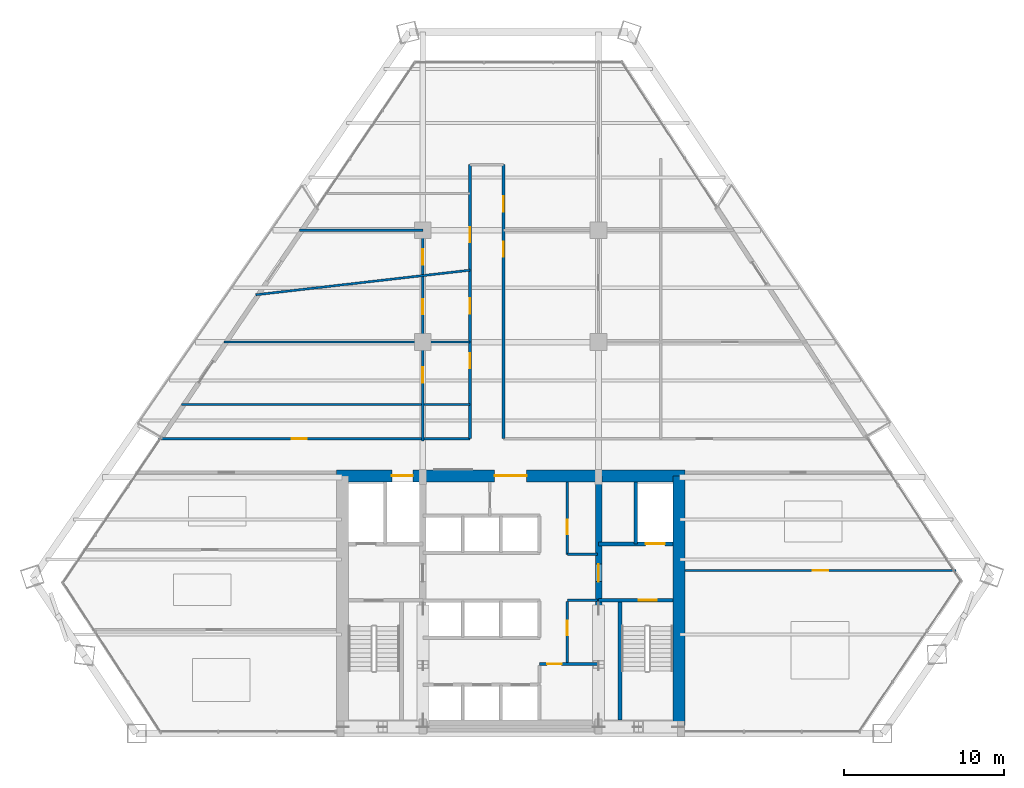
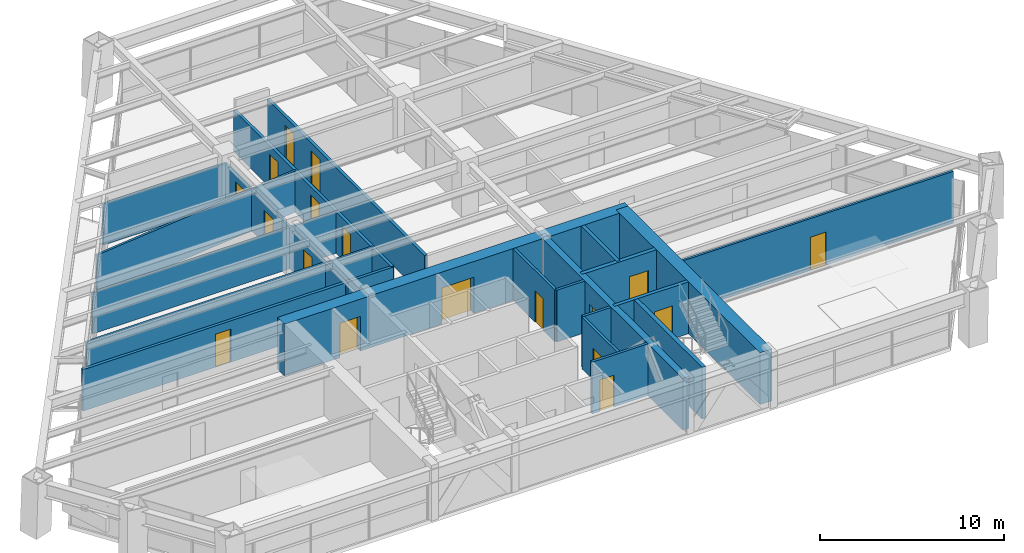
# One storey, part 11 of 14: 21 walls, 18 doors, 18 openings.
"""IFC4 building model written with IfcOpenShell, lengths in metres."""

from ifc_helpers import new_model, si_unit, direction, frame, frame_2d, origin, place, context, subcontext, project, spatial, rectangle, extrude, source, transform, mapped, material, layer, layer_set, type_object, type_shapes, element, fill, save


model = new_model("IFC4")

# Units and contexts
model_context = context("Model", 3, precision=1e-05, world=origin(), true_north=direction((0.0, 1.0)))
body_context = subcontext(model_context, "Body", "Model", "MODEL_VIEW")
ifc_project = project(units=[si_unit("LENGTHUNIT", "METRE"), si_unit("AREAUNIT", "SQUARE_METRE"), si_unit("VOLUMEUNIT", "CUBIC_METRE"), si_unit("PLANEANGLEUNIT", "RADIAN"), si_unit("MASSUNIT", "GRAM", prefix="KILO")], contexts=[model_context])

# Site, building, storey
site_placement = place(None, origin())
site = spatial("IfcSite", under=ifc_project, at=site_placement, CompositionType="ELEMENT")
building_placement = place(site_placement, origin())
building = spatial("IfcBuilding", under=site, at=building_placement, Name="Varnakhor Terracotta Tower", CompositionType="ELEMENT")
storey_placement = place(building_placement, frame((0.0, 0.0, 80.300048828125)))
storey = spatial("IfcBuildingStorey", under=building, at=storey_placement, Name="L19", CompositionType="ELEMENT", Elevation=80.300048828125)

# Wall, openings, doors
ifc_material_1 = material(Name="Concrete C60/75", Category="concrete")
ifc_layer_1 = layer(ifc_material_1, 0.75, Name="Concrete C60/75")
ifc_layer_set_1 = layer_set([ifc_layer_1], Name="Concrete C60/75")
wall_type_1 = type_object("IfcWallType", Name="WAL-CORE-750", PredefinedType="SHEAR", material=ifc_layer_set_1)
wall_1_placement = place(storey_placement, frame((-10.89990234375, 16.125, 0.0), z_axis=(0.0, 0.0, 1.0), x_axis=(1.0, 0.0, 0.0)))
wall_1 = element("IfcWall", 1, at=wall_1_placement, inside=storey, type_object=wall_type_1, Name="L19 North Core Shear Wall", PredefinedType="SHEAR", context=body_context, shape_type="SweptSolid", body=[
    extrude(rectangle(XDim=21.7998046875, YDim=0.75, at=frame_2d((10.89990234375, 0.0))), origin(), (0.0, 0.0, 1.0), 3.449951171875),
])
opening_1_placement = place(wall_1_placement, frame((3.469970703125, 0.0, 0.0)))
opening_1 = element("IfcOpeningElement", 2, at=opening_1_placement, cuts=wall_1, Name="Opening LD-03", PredefinedType="OPENING", context=body_context, shape_type="SweptSolid", body=[
    extrude(rectangle(XDim=1.300048828125, YDim=2.300048828125, at=frame_2d((0.64990234375, 1.14990234375))), frame((0.0, 0.385009765625, 0.0), z_axis=(0.0, -1.0, 0.0), x_axis=(1.0, 0.0, 0.0)), (0.0, 0.0, 1.0), 0.77001953125),
])
opening_2_placement = place(wall_1_placement, frame((9.89990234375, 0.0, 0.0)))
opening_2 = element("IfcOpeningElement", 3, at=opening_2_placement, cuts=wall_1, Name="Opening DR-32", PredefinedType="OPENING", context=body_context, shape_type="SweptSolid", body=[
    extrude(rectangle(XDim=2.0, YDim=2.39990234375, at=frame_2d((1.0, 1.199951171875))), frame((0.0, 0.385009765625, 0.0), z_axis=(0.0, -1.0, 0.0), x_axis=(1.0, 0.0, 0.0)), (0.0, 0.0, 1.0), 0.77001953125),
])
ifc_material_2 = material(Name="Heavy-Duty Goods Sliding Lift Landing Door", Category="steel")
door_type_1 = type_object("IfcDoorType", Name="LD-SRV-1300X2300", OperationType="NOTDEFINED", PredefinedType="DOOR", material=ifc_material_2)
shared_shape_1 = source(origin(), body_context, "Body", "SweptSolid", [
    extrude(rectangle(XDim=1.300048828125, YDim=2.300048828125, at=frame_2d((0.64990234375, 1.14990234375))), frame((0.0, 0.02490234375, 0.0), z_axis=(0.0, -1.0, 0.0), x_axis=(1.0, 0.0, 0.0)), (0.0, 0.0, 1.0), 0.050048828125),
])
type_shapes(door_type_1, [shared_shape_1])
door_1_placement = place(opening_1_placement, origin())
door_1 = element("IfcDoor", 4, at=door_1_placement, inside=storey, type_object=door_type_1, Name="L19 Service Lift SVL-1 Landing Door", OperationType="SLIDING_TO_RIGHT", OverallHeight=2.300048828125, OverallWidth=1.300048828125, PredefinedType="DOOR", context=body_context, shape_type="MappedRepresentation", body=[
    mapped(shared_shape_1, transform((0.0, 0.0, 0.0), scale=1.0)),
])
fill(opening_1, door_1)
ifc_material_3 = material(Name="Acoustic Double Assembly Fire Door", Category="wood")
door_type_2 = type_object("IfcDoorType", Name="DR-HALL-2000X2400", OperationType="NOTDEFINED", PredefinedType="DOOR", material=ifc_material_3)
shared_shape_2 = source(origin(), body_context, "Body", "SweptSolid", [
    extrude(rectangle(XDim=2.0, YDim=2.39990234375, at=frame_2d((1.0, 1.199951171875))), frame((0.0, 0.02490234375, 0.0), z_axis=(0.0, -1.0, 0.0), x_axis=(1.0, 0.0, 0.0)), (0.0, 0.0, 1.0), 0.050048828125),
])
type_shapes(door_type_2, [shared_shape_2])
door_2_placement = place(opening_2_placement, origin())
door_2 = element("IfcDoor", 5, at=door_2_placement, inside=storey, type_object=door_type_2, Name="L19 Core Main Lobby Double Door", OperationType="DOUBLE_DOOR_SINGLE_SWING", OverallHeight=2.39990234375, OverallWidth=2.0, PredefinedType="DOOR", context=body_context, shape_type="MappedRepresentation", body=[
    mapped(shared_shape_2, transform((0.0, 0.0, 0.0), scale=1.0)),
])
fill(opening_2, door_2)

# Wall
wall_2_placement = place(storey_placement, frame((10.52490234375, 0.47509765625, 0.0), z_axis=(0.0, 0.0, 1.0), x_axis=(0.0, 1.0, 0.0)))
element("IfcWall", 6, at=wall_2_placement, inside=storey, type_object=wall_type_1, Name="L19 East Core Shear Wall", PredefinedType="SHEAR", context=body_context, shape_type="SweptSolid", body=[
    extrude(rectangle(XDim=15.64990234375, YDim=0.75, at=frame_2d((7.824951171875, 0.0))), origin(), (0.0, 0.0, 1.0), 3.449951171875),
])

# Wall, opening, door
ifc_material_4 = material(Name="Concrete C50/60", Category="concrete")
ifc_layer_2 = layer(ifc_material_4, 0.39990234375, Name="Concrete C50/60")
ifc_layer_set_2 = layer_set([ifc_layer_2], Name="Concrete C50/60")
wall_type_2 = type_object("IfcWallType", Name="WAL-CORE-WEB-400", PredefinedType="SHEAR", material=ifc_layer_set_2)
wall_3_placement = place(storey_placement, frame((5.5, 0.47509765625, 0.0), z_axis=(0.0, 0.0, 1.0), x_axis=(0.0, 1.0, 0.0)))
wall_3 = element("IfcWall", 7, at=wall_3_placement, inside=storey, type_object=wall_type_2, Name="L19 East Core Web Shear Wall", PredefinedType="SHEAR", context=body_context, shape_type="SweptSolid", body=[
    extrude(rectangle(XDim=15.64990234375, YDim=0.39990234375, at=frame_2d((7.824951171875, 0.0))), origin(), (0.0, 0.0, 1.0), 3.449951171875),
])
opening_3_placement = place(wall_3_placement, frame((9.02490234375, 0.0, 0.0)))
opening_3 = element("IfcOpeningElement", 8, at=opening_3_placement, cuts=wall_3, Name="Opening DR-25", PredefinedType="OPENING", context=body_context, shape_type="SweptSolid", body=[
    extrude(rectangle(XDim=1.10009765625, YDim=2.199951171875, at=frame_2d((0.550048828125, 1.10009765625))), frame((0.0, 0.2099609375, 0.0), z_axis=(0.0, -1.0, 0.0), x_axis=(1.0, 0.0, 0.0)), (0.0, 0.0, 1.0), 0.419921875),
])
ifc_material_5 = material(Name="Firefighting Lobby Self-Closing Fire Door", Category="steel")
door_type_3 = type_object("IfcDoorType", Name="DR-FFL-1100X2200", OperationType="NOTDEFINED", PredefinedType="DOOR", material=ifc_material_5)
shared_shape_3 = source(origin(), body_context, "Body", "SweptSolid", [
    extrude(rectangle(XDim=1.10009765625, YDim=2.199951171875, at=frame_2d((0.550048828125, 1.10009765625))), frame((0.0, 0.02490234375, 0.0), z_axis=(0.0, -1.0, 0.0), x_axis=(1.0, 0.0, 0.0)), (0.0, 0.0, 1.0), 0.050048828125),
])
type_shapes(door_type_3, [shared_shape_3])
door_3_placement = place(opening_3_placement, origin())
door_3 = element("IfcDoor", 9, at=door_3_placement, inside=storey, type_object=door_type_3, Name="L19 East Firefighting Lobby Door", OperationType="SINGLE_SWING_LEFT", OverallHeight=2.199951171875, OverallWidth=1.10009765625, PredefinedType="DOOR", context=body_context, shape_type="MappedRepresentation", body=[
    mapped(shared_shape_3, transform((0.0, 0.0, 0.0), scale=1.0)),
])
fill(opening_3, door_3)

ifc_material_6 = material(Name="Fire-Rated Gypsum Stud Partition", Category="gypsum")
ifc_layer_3 = layer(ifc_material_6, 0.18505859375, Name="Fire-Rated Gypsum Stud Partition")
ifc_layer_set_3 = layer_set([ifc_layer_3], Name="Fire-Rated Gypsum Stud Partition")
wall_type_3 = type_object("IfcWallType", Name="WAL-CORR-185", PredefinedType="PARTITIONING", material=ifc_layer_set_3)
wall_4_placement = place(storey_placement, frame((-22.051025390625, 18.449951171875, 0.0), z_axis=(0.0, 0.0, 1.0), x_axis=(1.0, 0.0, 0.0)))
wall_4 = element("IfcWall", 10, at=wall_4_placement, inside=storey, type_object=wall_type_3, Name="L19 Corridor North West Wall", PredefinedType="PARTITIONING", context=body_context, shape_type="SweptSolid", body=[
    extrude(rectangle(XDim=19.5009765625, YDim=0.18505859375, at=frame_2d((9.75048828125, 0.0))), origin(), (0.0, 0.0, 1.0), 2.7470703125),
])
opening_4_placement = place(wall_4_placement, frame((8.33447265625, 0.0, 0.0)))
opening_4 = element("IfcOpeningElement", 11, at=opening_4_placement, cuts=wall_4, Name="Opening DR-94", PredefinedType="OPENING", context=body_context, shape_type="SweptSolid", body=[
    extrude(rectangle(XDim=0.949951171875, YDim=2.199951171875, at=frame_2d((0.47509765625, 1.10009765625))), frame((0.0, 0.1025390625, 0.0), z_axis=(0.0, -1.0, 0.0), x_axis=(1.0, 0.0, 0.0)), (0.0, 0.0, 1.0), 0.205078125),
])
ifc_material_7 = material(Name="Acoustic Glazed-Vision Timber Office Door", Category="wood")
door_type_4 = type_object("IfcDoorType", Name="DR-OFF-950X2200", OperationType="NOTDEFINED", PredefinedType="DOOR", material=ifc_material_7)
shared_shape_4 = source(origin(), body_context, "Body", "SweptSolid", [
    extrude(rectangle(XDim=0.949951171875, YDim=2.199951171875, at=frame_2d((0.47509765625, 1.10009765625))), frame((0.0, 0.02490234375, 0.0), z_axis=(0.0, -1.0, 0.0), x_axis=(1.0, 0.0, 0.0)), (0.0, 0.0, 1.0), 0.050048828125),
])
type_shapes(door_type_4, [shared_shape_4])
door_4_placement = place(opening_4_placement, origin())
door_4 = element("IfcDoor", 12, at=door_4_placement, inside=storey, type_object=door_type_4, Name="L19 West Workplace Door", OperationType="SINGLE_SWING_RIGHT", OverallHeight=2.199951171875, OverallWidth=0.949951171875, PredefinedType="DOOR", context=body_context, shape_type="MappedRepresentation", body=[
    mapped(shared_shape_4, transform((0.0, 0.0, 0.0), scale=1.0)),
])
fill(opening_4, door_4)

# Wall, openings, doors
wall_5_placement = place(storey_placement, frame((-2.550048828125, 18.449951171875, 0.0), z_axis=(0.0, 0.0, 1.0), x_axis=(0.0, 1.0, 0.0)))
wall_5 = element("IfcWall", 13, at=wall_5_placement, inside=storey, type_object=wall_type_3, Name="L19 Spine West Wall", PredefinedType="PARTITIONING", context=body_context, shape_type="SweptSolid", body=[
    extrude(rectangle(XDim=17.150146484375, YDim=0.18505859375, at=frame_2d((8.5751953125, 0.0))), origin(), (0.0, 0.0, 1.0), 2.7470703125),
])
opening_5_placement = place(wall_5_placement, frame((4.3974609375, 0.0, 0.0)))
opening_5 = element("IfcOpeningElement", 14, at=opening_5_placement, cuts=wall_5, Name="Opening DR-94", PredefinedType="OPENING", context=body_context, shape_type="SweptSolid", body=[
    extrude(rectangle(XDim=0.949951171875, YDim=2.199951171875, at=frame_2d((0.47509765625, 1.10009765625))), frame((0.0, 0.1025390625, 0.0), z_axis=(0.0, -1.0, 0.0), x_axis=(1.0, 0.0, 0.0)), (0.0, 0.0, 1.0), 0.205078125),
])
opening_6_placement = place(wall_5_placement, frame((7.830078125, 0.0, 0.0)))
opening_6 = element("IfcOpeningElement", 15, at=opening_6_placement, cuts=wall_5, Name="Opening DR-94", PredefinedType="OPENING", context=body_context, shape_type="SweptSolid", body=[
    extrude(rectangle(XDim=0.949951171875, YDim=2.199951171875, at=frame_2d((0.47509765625, 1.10009765625))), frame((0.0, 0.1025390625, 0.0), z_axis=(0.0, -1.0, 0.0), x_axis=(1.0, 0.0, 0.0)), (0.0, 0.0, 1.0), 0.205078125),
])
opening_7_placement = place(wall_5_placement, frame((12.29638671875, 0.0, 0.0)))
opening_7 = element("IfcOpeningElement", 16, at=opening_7_placement, cuts=wall_5, Name="Opening DR-94", PredefinedType="OPENING", context=body_context, shape_type="SweptSolid", body=[
    extrude(rectangle(XDim=0.949951171875, YDim=2.199951171875, at=frame_2d((0.47509765625, 1.10009765625))), frame((0.0, 0.1025390625, 0.0), z_axis=(0.0, -1.0, 0.0), x_axis=(1.0, 0.0, 0.0)), (0.0, 0.0, 1.0), 0.205078125),
])
door_5_placement = place(opening_5_placement, origin())
door_5 = element("IfcDoor", 17, at=door_5_placement, inside=storey, type_object=door_type_4, Name="L19 Spine West Door", OperationType="SINGLE_SWING_RIGHT", OverallHeight=2.199951171875, OverallWidth=0.949951171875, PredefinedType="DOOR", context=body_context, shape_type="MappedRepresentation", body=[
    mapped(shared_shape_4, transform((0.0, 0.0, 0.0), scale=1.0)),
])
fill(opening_5, door_5)
door_6_placement = place(opening_6_placement, origin())
door_6 = element("IfcDoor", 18, at=door_6_placement, inside=storey, type_object=door_type_4, Name="L19 Meeting Room North B13 Door", OperationType="SINGLE_SWING_LEFT", OverallHeight=2.199951171875, OverallWidth=0.949951171875, PredefinedType="DOOR", context=body_context, shape_type="MappedRepresentation", body=[
    mapped(shared_shape_4, transform((0.0, 0.0, 0.0), scale=1.0)),
])
fill(opening_6, door_6)
door_7_placement = place(opening_7_placement, origin())
door_7 = element("IfcDoor", 19, at=door_7_placement, inside=storey, type_object=door_type_4, Name="L19 Cellular Office 1 B17 Door", OperationType="SINGLE_SWING_RIGHT", OverallHeight=2.199951171875, OverallWidth=0.949951171875, PredefinedType="DOOR", context=body_context, shape_type="MappedRepresentation", body=[
    mapped(shared_shape_4, transform((0.0, 0.0, 0.0), scale=1.0)),
])
fill(opening_7, door_7)

wall_6_placement = place(storey_placement, frame((-0.449951171875, 18.449951171875, 0.0), z_axis=(0.0, 0.0, 1.0), x_axis=(0.0, 1.0, 0.0)))
wall_6 = element("IfcWall", 20, at=wall_6_placement, inside=storey, type_object=wall_type_3, Name="L19 Spine East Wall", PredefinedType="PARTITIONING", context=body_context, shape_type="SweptSolid", body=[
    extrude(rectangle(XDim=17.150146484375, YDim=0.18505859375, at=frame_2d((8.5751953125, 0.0))), origin(), (0.0, 0.0, 1.0), 2.7470703125),
])
opening_8_placement = place(wall_6_placement, frame((11.39404296875, 0.0, 0.0)))
opening_8 = element("IfcOpeningElement", 21, at=opening_8_placement, cuts=wall_6, Name="Opening DR-94", PredefinedType="OPENING", context=body_context, shape_type="SweptSolid", body=[
    extrude(rectangle(XDim=0.949951171875, YDim=2.199951171875, at=frame_2d((0.47509765625, 1.10009765625))), frame((0.0, 0.1025390625, 0.0), z_axis=(0.0, -1.0, 0.0), x_axis=(1.0, 0.0, 0.0)), (0.0, 0.0, 1.0), 0.205078125),
])
opening_9_placement = place(wall_6_placement, frame((14.21435546875, 0.0, 0.0)))
opening_9 = element("IfcOpeningElement", 22, at=opening_9_placement, cuts=wall_6, Name="Opening DR-94", PredefinedType="OPENING", context=body_context, shape_type="SweptSolid", body=[
    extrude(rectangle(XDim=0.949951171875, YDim=2.199951171875, at=frame_2d((0.47509765625, 1.10009765625))), frame((0.0, 0.1025390625, 0.0), z_axis=(0.0, -1.0, 0.0), x_axis=(1.0, 0.0, 0.0)), (0.0, 0.0, 1.0), 0.205078125),
])
door_8_placement = place(opening_8_placement, origin())
door_8 = element("IfcDoor", 23, at=door_8_placement, inside=storey, type_object=door_type_4, Name="L19 Spine East Door", OperationType="SINGLE_SWING_LEFT", OverallHeight=2.199951171875, OverallWidth=0.949951171875, PredefinedType="DOOR", context=body_context, shape_type="MappedRepresentation", body=[
    mapped(shared_shape_4, transform((0.0, 0.0, 0.0), scale=1.0)),
])
fill(opening_8, door_8)
door_9_placement = place(opening_9_placement, origin())
door_9 = element("IfcDoor", 24, at=door_9_placement, inside=storey, type_object=door_type_4, Name="L19 Cellular Office 2 Door", OperationType="SINGLE_SWING_LEFT", OverallHeight=2.199951171875, OverallWidth=0.949951171875, PredefinedType="DOOR", context=body_context, shape_type="MappedRepresentation", body=[
    mapped(shared_shape_4, transform((0.0, 0.0, 0.0), scale=1.0)),
])
fill(opening_9, door_9)

# Wall, opening, door
ifc_material_8 = material(Name="Concrete C40/50", Category="concrete")
ifc_layer_4 = layer(ifc_material_8, 0.219970703125, Name="Concrete C40/50")
ifc_layer_set_4 = layer_set([ifc_layer_4], Name="Concrete C40/50")
wall_type_4 = type_object("IfcWallType", Name="WAL-FFLOBBY-220", PredefinedType="SOLIDWALL", material=ifc_layer_set_4)
wall_7_placement = place(storey_placement, frame((10.14990234375, 8.35009765625, 0.0), z_axis=(0.0, 0.0, 1.0), x_axis=(-1.0, 0.0, 0.0)))
wall_7 = element("IfcWall", 25, at=wall_7_placement, inside=storey, type_object=wall_type_4, Name="L19 East Firefighting Lobby Stair Wall", PredefinedType="SOLIDWALL", context=body_context, shape_type="SweptSolid", body=[
    extrude(rectangle(XDim=4.64990234375, YDim=0.219970703125, at=frame_2d((2.324951171875, 0.0))), origin(), (0.0, 0.0, 1.0), 3.449951171875),
])
opening_10_placement = place(wall_7_placement, frame((1.0, 0.0, 0.0)))
opening_10 = element("IfcOpeningElement", 26, at=opening_10_placement, cuts=wall_7, Name="Opening DR-34", PredefinedType="OPENING", context=body_context, shape_type="SweptSolid", body=[
    extrude(rectangle(XDim=1.14990234375, YDim=2.199951171875, at=frame_2d((0.574951171875, 1.10009765625))), frame((0.0, 0.1201171875, 0.0), z_axis=(0.0, -1.0, 0.0), x_axis=(1.0, 0.0, 0.0)), (0.0, 0.0, 1.0), 0.239990234375),
])
ifc_material_9 = material(Name="Self-Closing Smoke-Sealed Steel Fire Door", Category="steel")
door_type_5 = type_object("IfcDoorType", Name="DR-STAIR-1150X2200", OperationType="NOTDEFINED", PredefinedType="DOOR", material=ifc_material_9)
shared_shape_5 = source(origin(), body_context, "Body", "SweptSolid", [
    extrude(rectangle(XDim=1.14990234375, YDim=2.199951171875, at=frame_2d((0.574951171875, 1.10009765625))), frame((0.0, 0.02490234375, 0.0), z_axis=(0.0, -1.0, 0.0), x_axis=(1.0, 0.0, 0.0)), (0.0, 0.0, 1.0), 0.050048828125),
])
type_shapes(door_type_5, [shared_shape_5])
door_10_placement = place(opening_10_placement, origin())
door_10 = element("IfcDoor", 27, at=door_10_placement, inside=storey, type_object=door_type_5, Name="L19 Exit Stair ST-2 Fire Door", OperationType="SINGLE_SWING_RIGHT", OverallHeight=2.199951171875, OverallWidth=1.14990234375, PredefinedType="DOOR", context=body_context, shape_type="MappedRepresentation", body=[
    mapped(shared_shape_5, transform((0.0, 0.0, 0.0), scale=1.0)),
])
fill(opening_10, door_10)

# Wall, openings, doors
ifc_material_10 = material(Name="Acoustic Metal-Stud Partition", Category="gypsum")
ifc_layer_5 = layer(ifc_material_10, 0.139892578125, Name="Acoustic Metal-Stud Partition")
ifc_layer_set_5 = layer_set([ifc_layer_5], Name="Acoustic Metal-Stud Partition")
wall_type_5 = type_object("IfcWallType", Name="WAL-PART-140", PredefinedType="PARTITIONING", material=ifc_layer_set_5)
wall_8_placement = place(storey_placement, frame((-5.5, 18.300048828125, 0.0), z_axis=(0.0, 0.0, 1.0), x_axis=(0.0, 1.0, 0.0)))
wall_8 = element("IfcWall", 28, at=wall_8_placement, inside=storey, type_object=wall_type_5, Name="L19 West Column Line Wall", PredefinedType="PARTITIONING", context=body_context, shape_type="SweptSolid", body=[
    extrude(rectangle(XDim=13.199951171875, YDim=0.139892578125, at=frame_2d((6.60009765625, 0.0))), origin(), (0.0, 0.0, 1.0), 2.7470703125),
])
opening_11_placement = place(wall_8_placement, frame((3.66650390625, 0.0, 0.0)))
opening_11 = element("IfcOpeningElement", 29, at=opening_11_placement, cuts=wall_8, Name="Opening DR-94", PredefinedType="OPENING", context=body_context, shape_type="SweptSolid", body=[
    extrude(rectangle(XDim=0.949951171875, YDim=2.199951171875, at=frame_2d((0.47509765625, 1.10009765625))), frame((0.0, 0.080078125, 0.0), z_axis=(0.0, -1.0, 0.0), x_axis=(1.0, 0.0, 0.0)), (0.0, 0.0, 1.0), 0.159912109375),
])
opening_12_placement = place(wall_8_placement, frame((7.944091796875, 0.0, 0.0)))
opening_12 = element("IfcOpeningElement", 30, at=opening_12_placement, cuts=wall_8, Name="Opening DR-94", PredefinedType="OPENING", context=body_context, shape_type="SweptSolid", body=[
    extrude(rectangle(XDim=0.949951171875, YDim=2.199951171875, at=frame_2d((0.47509765625, 1.10009765625))), frame((0.0, 0.080078125, 0.0), z_axis=(0.0, -1.0, 0.0), x_axis=(1.0, 0.0, 0.0)), (0.0, 0.0, 1.0), 0.159912109375),
])
opening_13_placement = place(wall_8_placement, frame((11.045166015625, 0.0, 0.0)))
opening_13 = element("IfcOpeningElement", 31, at=opening_13_placement, cuts=wall_8, Name="Opening DR-94", PredefinedType="OPENING", context=body_context, shape_type="SweptSolid", body=[
    extrude(rectangle(XDim=0.949951171875, YDim=2.199951171875, at=frame_2d((0.47509765625, 1.10009765625))), frame((0.0, 0.080078125, 0.0), z_axis=(0.0, -1.0, 0.0), x_axis=(1.0, 0.0, 0.0)), (0.0, 0.0, 1.0), 0.159912109375),
])
door_11_placement = place(opening_11_placement, origin())
door_11 = element("IfcDoor", 32, at=door_11_placement, inside=storey, type_object=door_type_4, Name="L19 Cellular Office 1 B9 Door", OperationType="SINGLE_SWING_RIGHT", OverallHeight=2.199951171875, OverallWidth=0.949951171875, PredefinedType="DOOR", context=body_context, shape_type="MappedRepresentation", body=[
    mapped(shared_shape_4, transform((0.0, 0.0, 0.0), scale=1.0)),
])
fill(opening_11, door_11)
door_12_placement = place(opening_12_placement, origin())
door_12 = element("IfcDoor", 33, at=door_12_placement, inside=storey, type_object=door_type_4, Name="L19 Cellular Office 3 Door", OperationType="SINGLE_SWING_LEFT", OverallHeight=2.199951171875, OverallWidth=0.949951171875, PredefinedType="DOOR", context=body_context, shape_type="MappedRepresentation", body=[
    mapped(shared_shape_4, transform((0.0, 0.0, 0.0), scale=1.0)),
])
fill(opening_12, door_12)
door_13_placement = place(opening_13_placement, origin())
door_13 = element("IfcDoor", 34, at=door_13_placement, inside=storey, type_object=door_type_4, Name="L19 Meeting Room North Door", OperationType="SINGLE_SWING_RIGHT", OverallHeight=2.199951171875, OverallWidth=0.949951171875, PredefinedType="DOOR", context=body_context, shape_type="MappedRepresentation", body=[
    mapped(shared_shape_4, transform((0.0, 0.0, 0.0), scale=1.0)),
])
fill(opening_13, door_13)

# Walls
wall_9_placement = place(storey_placement, frame((-13.220703125, 31.5, 0.0), z_axis=(0.0, 0.0, 1.0), x_axis=(1.0, 0.0, 0.0)))
element("IfcWall", 35, at=wall_9_placement, inside=storey, type_object=wall_type_5, Name="L19 North West Column Wall", PredefinedType="PARTITIONING", context=body_context, shape_type="SweptSolid", body=[
    extrude(rectangle(XDim=7.720703125, YDim=0.139892578125, at=frame_2d((3.8603515625, 0.0))), origin(), (0.0, 0.0, 1.0), 2.7470703125),
])
wall_10_placement = place(storey_placement, frame((-20.59619140625, 20.60009765625, 0.0), z_axis=(0.0, 0.0, 1.0), x_axis=(1.0, 0.0, 0.0)))
element("IfcWall", 36, at=wall_10_placement, inside=storey, type_object=wall_type_5, Name="L19 West Wing Cut 1", PredefinedType="PARTITIONING", context=body_context, shape_type="SweptSolid", body=[
    extrude(rectangle(XDim=18.046142578125, YDim=0.139892578125, at=frame_2d((9.02294921875, 0.0))), origin(), (0.0, 0.0, 1.0), 2.7470703125),
])
wall_11_placement = place(storey_placement, frame((-17.957275390625, 24.5, 0.0), z_axis=(0.0, 0.0, 1.0), x_axis=(1.0, 0.0, 0.0)))
element("IfcWall", 37, at=wall_11_placement, inside=storey, type_object=wall_type_5, Name="L19 West Wing Cut 2", PredefinedType="PARTITIONING", context=body_context, shape_type="SweptSolid", body=[
    extrude(rectangle(XDim=15.4072265625, YDim=0.139892578125, at=frame_2d((7.70361328125, 0.0))), origin(), (0.0, 0.0, 1.0), 2.7470703125),
])
wall_12_placement = place(storey_placement, frame((-15.953857421875, 27.4609375, 0.0), z_axis=(0.0, 0.0, 1.0), x_axis=(0.99347234151, 0.114073251264, 0.0)))
element("IfcWall", 38, at=wall_12_placement, inside=storey, type_object=wall_type_5, Name="L19 West Wing Cut 3", PredefinedType="PARTITIONING", context=body_context, shape_type="SweptSolid", body=[
    extrude(rectangle(XDim=13.491943359375, YDim=0.139892578125, at=frame_2d((6.74609375, 0.0))), origin(), (0.0, 0.0, 1.0), 2.7470703125),
])

# Wall, opening, door
wall_13_placement = place(storey_placement, frame((10.919921875, 10.199951171875, 0.0), z_axis=(0.0, 0.0, 1.0), x_axis=(1.0, 0.0, 0.0)))
wall_13 = element("IfcWall", 39, at=wall_13_placement, inside=storey, type_object=wall_type_5, Name="L19 South East Cut 1", PredefinedType="PARTITIONING", context=body_context, shape_type="SweptSolid", body=[
    extrude(rectangle(XDim=16.952880859375, YDim=0.139892578125, at=frame_2d((8.4765625, 0.0))), origin(), (0.0, 0.0, 1.0), 3.44189453125),
])
opening_14_placement = place(wall_13_placement, frame((7.99169921875, 0.0, 0.0)))
opening_14 = element("IfcOpeningElement", 40, at=opening_14_placement, cuts=wall_13, Name="Opening DR-94", PredefinedType="OPENING", context=body_context, shape_type="SweptSolid", body=[
    extrude(rectangle(XDim=0.949951171875, YDim=2.199951171875, at=frame_2d((0.47509765625, 1.10009765625))), frame((0.0, 0.080078125, 0.0), z_axis=(0.0, -1.0, 0.0), x_axis=(1.0, 0.0, 0.0)), (0.0, 0.0, 1.0), 0.159912109375),
])
door_14_placement = place(opening_14_placement, origin())
door_14 = element("IfcDoor", 41, at=door_14_placement, inside=storey, type_object=door_type_4, Name="L19 South East Conference Room Door", OperationType="SINGLE_SWING_RIGHT", OverallHeight=2.199951171875, OverallWidth=0.949951171875, PredefinedType="DOOR", context=body_context, shape_type="MappedRepresentation", body=[
    mapped(shared_shape_4, transform((0.0, 0.0, 0.0), scale=1.0)),
])
fill(opening_14, door_14)

# Walls
ifc_layer_6 = layer(ifc_material_8, 0.219970703125, Name="Concrete C40/50")
ifc_layer_set_6 = layer_set([ifc_layer_6], Name="Concrete C40/50")
wall_type_6 = type_object("IfcWallType", Name="WAL-SHAFT-220", PredefinedType="SOLIDWALL", material=ifc_layer_set_6)
wall_14_placement = place(storey_placement, frame((7.840087890625, 11.8701171875, 0.0), z_axis=(0.0, 0.0, 1.0), x_axis=(0.0, 1.0, 0.0)))
element("IfcWall", 42, at=wall_14_placement, inside=storey, type_object=wall_type_6, Name="L19 Lift FFL-2 and Riser Divider Wall", PredefinedType="SOLIDWALL", context=body_context, shape_type="SweptSolid", body=[
    extrude(rectangle(XDim=3.8798828125, YDim=0.219970703125, at=frame_2d((1.93994140625, 0.0))), origin(), (0.0, 0.0, 1.0), 3.449951171875),
])
ifc_layer_7 = layer(ifc_material_8, 0.25, Name="Concrete C40/50")
ifc_layer_set_7 = layer_set([ifc_layer_7], Name="Concrete C40/50")
wall_type_7 = type_object("IfcWallType", Name="WAL-SHAFT-250", PredefinedType="SOLIDWALL", material=ifc_layer_set_7)
wall_15_placement = place(storey_placement, frame((6.85009765625, 0.85009765625, 0.0), z_axis=(0.0, 0.0, 1.0), x_axis=(0.0, 1.0, 0.0)))
element("IfcWall", 43, at=wall_15_placement, inside=storey, type_object=wall_type_7, Name="L19 Stair ST-2 Bearing Shaft Wall", PredefinedType="SOLIDWALL", context=body_context, shape_type="SweptSolid", body=[
    extrude(rectangle(XDim=7.5, YDim=0.25, at=frame_2d((3.75, 0.0))), origin(), (0.0, 0.0, 1.0), 3.449951171875),
])

# Wall, opening, door
wall_16_placement = place(storey_placement, frame((10.14990234375, 11.8701171875, 0.0), z_axis=(0.0, 0.0, 1.0), x_axis=(-1.0, 0.0, 0.0)))
wall_16 = element("IfcWall", 44, at=wall_16_placement, inside=storey, type_object=wall_type_7, Name="L19 Lift FFL-2 Shaft Front Wall", PredefinedType="SOLIDWALL", context=body_context, shape_type="SweptSolid", body=[
    extrude(rectangle(XDim=4.64990234375, YDim=0.25, at=frame_2d((2.324951171875, 0.0))), origin(), (0.0, 0.0, 1.0), 3.449951171875),
])
opening_15_placement = place(wall_16_placement, frame((0.5, 0.0, 0.0)))
opening_15 = element("IfcOpeningElement", 45, at=opening_15_placement, cuts=wall_16, Name="Opening LD-02", PredefinedType="OPENING", context=body_context, shape_type="SweptSolid", body=[
    extrude(rectangle(XDim=1.199951171875, YDim=2.25, at=frame_2d((0.60009765625, 1.125))), frame((0.0, 0.135009765625, 0.0), z_axis=(0.0, -1.0, 0.0), x_axis=(1.0, 0.0, 0.0)), (0.0, 0.0, 1.0), 0.27001953125),
])
ifc_material_11 = material(Name="Firefighting Stretcher Sliding Lift Landing Door", Category="steel")
door_type_6 = type_object("IfcDoorType", Name="LD-FFL-1200X2250", OperationType="NOTDEFINED", PredefinedType="DOOR", material=ifc_material_11)
shared_shape_6 = source(origin(), body_context, "Body", "SweptSolid", [
    extrude(rectangle(XDim=1.199951171875, YDim=2.25, at=frame_2d((0.60009765625, 1.125))), frame((0.0, 0.02490234375, 0.0), z_axis=(0.0, -1.0, 0.0), x_axis=(1.0, 0.0, 0.0)), (0.0, 0.0, 1.0), 0.050048828125),
])
type_shapes(door_type_6, [shared_shape_6])
door_15_placement = place(opening_15_placement, origin())
door_15 = element("IfcDoor", 46, at=door_15_placement, inside=storey, type_object=door_type_6, Name="L19 Firefighting Lift FFL-2 Landing Door", OperationType="SLIDING_TO_RIGHT", OverallHeight=2.25, OverallWidth=1.199951171875, PredefinedType="DOOR", context=body_context, shape_type="MappedRepresentation", body=[
    mapped(shared_shape_6, transform((0.0, 0.0, 0.0), scale=1.0)),
])
fill(opening_15, door_15)

ifc_material_12 = material(Name="Acoustic Fire-Rated Partition", Category="gypsum")
ifc_layer_8 = layer(ifc_material_12, 0.1650390625, Name="Acoustic Fire-Rated Partition")
ifc_layer_set_8 = layer_set([ifc_layer_8], Name="Acoustic Fire-Rated Partition")
wall_type_8 = type_object("IfcWallType", Name="WAL-TENANCY-165", PredefinedType="PARTITIONING", material=ifc_layer_set_8)
wall_17_placement = place(storey_placement, frame((3.5400390625, 4.4326171875, 0.0), z_axis=(0.0, 0.0, 1.0), x_axis=(0.0, 1.0, 0.0)))
wall_17 = element("IfcWall", 47, at=wall_17_placement, inside=storey, type_object=wall_type_8, Name="L19 Core Service Rated Wall", PredefinedType="PARTITIONING", context=body_context, shape_type="SweptSolid", body=[
    extrude(rectangle(XDim=3.824951171875, YDim=0.1650390625, at=frame_2d((1.91259765625, 0.0))), origin(), (0.0, 0.0, 1.0), 3.44189453125),
])
opening_16_placement = place(wall_17_placement, frame((1.72119140625, 0.0, 0.0)))
opening_16 = element("IfcOpeningElement", 48, at=opening_16_placement, cuts=wall_17, Name="Opening DR-67", PredefinedType="OPENING", context=body_context, shape_type="SweptSolid", body=[
    extrude(rectangle(XDim=0.89990234375, YDim=2.10009765625, at=frame_2d((0.449951171875, 1.050048828125))), frame((0.0, 0.092529296875, 0.0), z_axis=(0.0, -1.0, 0.0), x_axis=(1.0, 0.0, 0.0)), (0.0, 0.0, 1.0), 0.18505859375),
])
ifc_material_13 = material(Name="Steel Service Riser Fire Door", Category="steel")
door_type_7 = type_object("IfcDoorType", Name="DR-RISER-900X2100", OperationType="NOTDEFINED", PredefinedType="DOOR", material=ifc_material_13)
shared_shape_7 = source(origin(), body_context, "Body", "SweptSolid", [
    extrude(rectangle(XDim=0.89990234375, YDim=2.10009765625, at=frame_2d((0.449951171875, 1.050048828125))), frame((0.0, 0.02490234375, 0.0), z_axis=(0.0, -1.0, 0.0), x_axis=(1.0, 0.0, 0.0)), (0.0, 0.0, 1.0), 0.050048828125),
])
type_shapes(door_type_7, [shared_shape_7])
door_16_placement = place(opening_16_placement, origin())
door_16 = element("IfcDoor", 49, at=door_16_placement, inside=storey, type_object=door_type_7, Name="L19 Core Accessible WC Door", OperationType="SINGLE_SWING_LEFT", OverallHeight=2.10009765625, OverallWidth=0.89990234375, PredefinedType="DOOR", context=body_context, shape_type="MappedRepresentation", body=[
    mapped(shared_shape_7, transform((0.0, 0.0, 0.0), scale=1.0)),
])
fill(opening_16, door_16)

# Wall
wall_18_placement = place(storey_placement, frame((3.5400390625, 8.340087890625, 0.0), z_axis=(0.0, 0.0, 1.0), x_axis=(1.0, 0.0, 0.0)))
element("IfcWall", 50, at=wall_18_placement, inside=storey, type_object=wall_type_8, Name="L19 Accessible WC North Wall", PredefinedType="PARTITIONING", context=body_context, shape_type="SweptSolid", body=[
    extrude(rectangle(XDim=1.8798828125, YDim=0.1650390625, at=frame_2d((0.93994140625, 0.0))), origin(), (0.0, 0.0, 1.0), 3.44189453125),
])

# Wall, opening, door
wall_19_placement = place(storey_placement, frame((1.800048828125, 4.35009765625, 0.0), z_axis=(0.0, 0.0, 1.0), x_axis=(1.0, 0.0, 0.0)))
wall_19 = element("IfcWall", 51, at=wall_19_placement, inside=storey, type_object=wall_type_8, Name="L19 Core South Service Rated Wall", PredefinedType="PARTITIONING", context=body_context, shape_type="SweptSolid", body=[
    extrude(rectangle(XDim=3.619873046875, YDim=0.1650390625, at=frame_2d((1.81005859375, 0.0))), origin(), (0.0, 0.0, 1.0), 3.44189453125),
])
opening_17_placement = place(wall_19_placement, frame((0.47998046875, 0.0, 0.0)))
opening_17 = element("IfcOpeningElement", 52, at=opening_17_placement, cuts=wall_19, Name="Opening DR-67", PredefinedType="OPENING", context=body_context, shape_type="SweptSolid", body=[
    extrude(rectangle(XDim=0.89990234375, YDim=2.10009765625, at=frame_2d((0.449951171875, 1.050048828125))), frame((0.0, 0.092529296875, 0.0), z_axis=(0.0, -1.0, 0.0), x_axis=(1.0, 0.0, 0.0)), (0.0, 0.0, 1.0), 0.18505859375),
])
door_17_placement = place(opening_17_placement, origin())
door_17 = element("IfcDoor", 53, at=door_17_placement, inside=storey, type_object=door_type_7, Name="L19 Core IT Room Door", OperationType="SINGLE_SWING_RIGHT", OverallHeight=2.10009765625, OverallWidth=0.89990234375, PredefinedType="DOOR", context=body_context, shape_type="MappedRepresentation", body=[
    mapped(shared_shape_7, transform((0.0, 0.0, 0.0), scale=1.0)),
])
fill(opening_17, door_17)

wall_20_placement = place(storey_placement, frame((3.5400390625, 11.219970703125, 0.0), z_axis=(0.0, 0.0, 1.0), x_axis=(0.0, 1.0, 0.0)))
wall_20 = element("IfcWall", 54, at=wall_20_placement, inside=storey, type_object=wall_type_8, Name="L19 Restroom Corridor Wall", PredefinedType="PARTITIONING", context=body_context, shape_type="SweptSolid", body=[
    extrude(rectangle(XDim=4.530029296875, YDim=0.1650390625, at=frame_2d((2.26513671875, 0.0))), origin(), (0.0, 0.0, 1.0), 3.44189453125),
])
opening_18_placement = place(wall_20_placement, frame((1.25, 0.0, 0.0)))
opening_18 = element("IfcOpeningElement", 55, at=opening_18_placement, cuts=wall_20, Name="Opening DR-67", PredefinedType="OPENING", context=body_context, shape_type="SweptSolid", body=[
    extrude(rectangle(XDim=0.89990234375, YDim=2.10009765625, at=frame_2d((0.449951171875, 1.050048828125))), frame((0.0, 0.092529296875, 0.0), z_axis=(0.0, -1.0, 0.0), x_axis=(1.0, 0.0, 0.0)), (0.0, 0.0, 1.0), 0.18505859375),
])
door_18_placement = place(opening_18_placement, origin())
door_18 = element("IfcDoor", 56, at=door_18_placement, inside=storey, type_object=door_type_7, Name="L19 Female WC Door", OperationType="SINGLE_SWING_LEFT", OverallHeight=2.10009765625, OverallWidth=0.89990234375, PredefinedType="DOOR", context=body_context, shape_type="MappedRepresentation", body=[
    mapped(shared_shape_7, transform((0.0, 0.0, 0.0), scale=1.0)),
])
fill(opening_18, door_18)

# Wall
wall_21_placement = place(storey_placement, frame((3.5400390625, 11.219970703125, 0.0), z_axis=(0.0, 0.0, 1.0), x_axis=(1.0, 0.0, 0.0)))
element("IfcWall", 57, at=wall_21_placement, inside=storey, type_object=wall_type_8, Name="L19 Restroom South Wall", PredefinedType="PARTITIONING", context=body_context, shape_type="SweptSolid", body=[
    extrude(rectangle(XDim=1.8798828125, YDim=0.1650390625, at=frame_2d((0.93994140625, 0.0))), origin(), (0.0, 0.0, 1.0), 3.44189453125),
])

save(model, "model.ifc")
